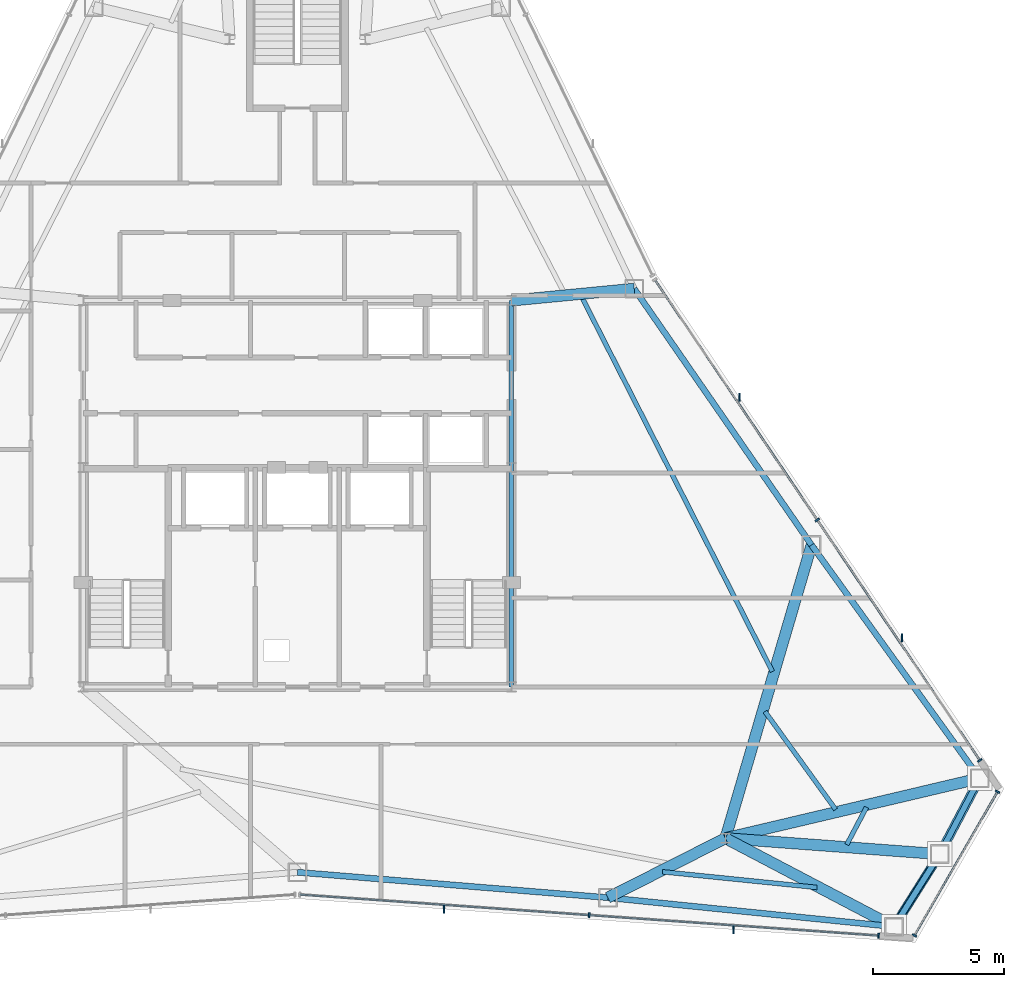
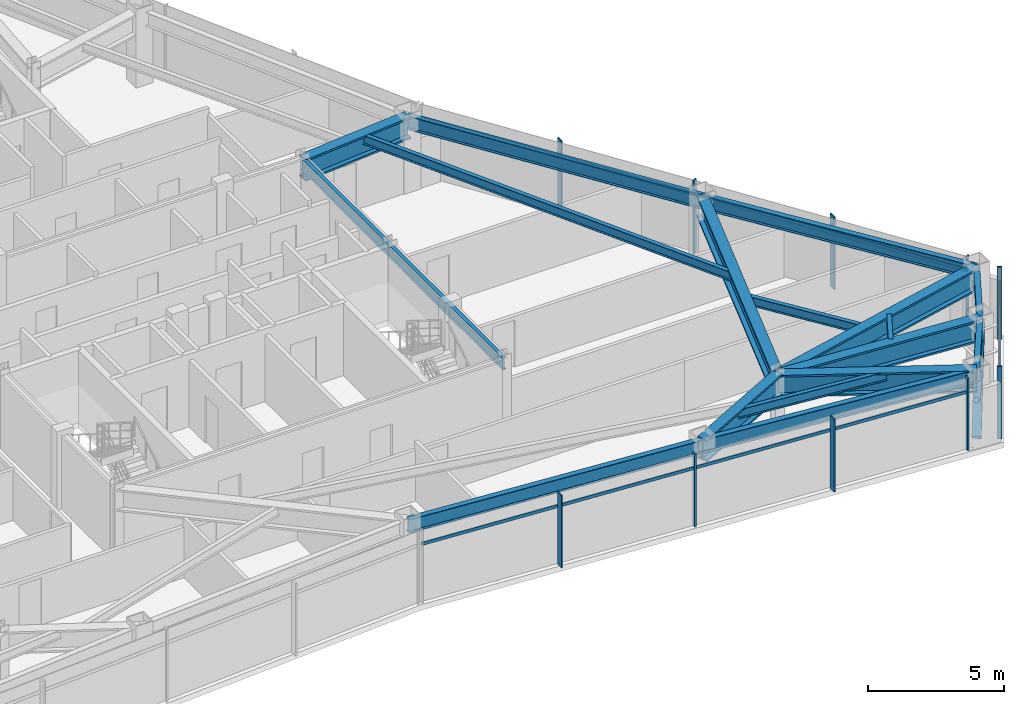
# One storey, part 6 of 12: 17 beams, 16 members, 3 elements without a shape of their own.
"""IFC4 building model written with IfcOpenShell, lengths in metres."""

from ifc_helpers import new_model, si_unit, direction, frame, origin, origin_2d, place, context, subcontext, project, spatial, rectangle, hollow_rectangle, hollow_circle, i_section, extrude, source, transform, mapped, material, layer, layer_set, material_profile, profile_set, type_object, type_shapes, element, aggregate, save


model = new_model("IFC4")

# Units and contexts
model_context = context("Model", 3, precision=1e-05, world=origin(), true_north=direction((0.0, 1.0)))
body_context = subcontext(model_context, "Body", "Model", "MODEL_VIEW")
ifc_project = project(units=[si_unit("LENGTHUNIT", "METRE"), si_unit("AREAUNIT", "SQUARE_METRE"), si_unit("VOLUMEUNIT", "CUBIC_METRE"), si_unit("PLANEANGLEUNIT", "RADIAN"), si_unit("MASSUNIT", "GRAM", prefix="KILO")], contexts=[model_context])

# Site, building, storey
site_placement = place(None, origin())
site = spatial("IfcSite", under=ifc_project, at=site_placement, CompositionType="ELEMENT")
building_placement = place(site_placement, origin())
building = spatial("IfcBuilding", under=site, at=building_placement, Name="Varakhsha Concourse Tower", CompositionType="ELEMENT")
storey_placement = place(building_placement, frame((0.0, 0.0, 211.89990234375)))
storey = spatial("IfcBuildingStorey", under=building, at=storey_placement, Name="L60", CompositionType="ELEMENT", Elevation=211.89990234375)

# Beams
ifc_material_1 = material(Name="Structural Steel ASTM A992 Grade 50", Category="steel")
ifc_material_profile_1 = material_profile(ifc_material_1, i_section(OverallWidth=0.177978515625, OverallDepth=0.406982421875, WebThickness=0.008056640625, FlangeThickness=0.012939453125, at=origin_2d()), Name="W16X40")
ifc_profile_set_1 = profile_set([ifc_material_profile_1], Name="Structural Steel ASTM A992 Grade 50")
beam_type_1 = type_object("IfcBeamType", Name="BM-JST-W16X40", PredefinedType="JOIST", material=ifc_profile_set_1)
beam_1_placement = place(storey_placement, frame((53.988525390625, 9.314208984375, 3.046630859375), z_axis=(0.994880799666, -0.101055402902, 0.0), x_axis=(0.101055402902, 0.994880799666, 0.0)))
element("IfcBeam", 1, at=beam_1_placement, inside=storey, type_object=beam_type_1, Name="BM-TJST-L60-12", PredefinedType="JOIST", context=body_context, shape_type="SweptSolid", body=[
    extrude(i_section(OverallWidth=0.177978515625, OverallDepth=0.406982421875, WebThickness=0.008056640625, FlangeThickness=0.012939453125, at=origin_2d()), origin(), (0.0, 0.0, 1.0), 5.950439453125),
])
beam_2_placement = place(storey_placement, frame((61.04931640625, 10.356201171875, 3.046630859375), z_axis=(0.466578529468, 0.884479776953, 0.0), x_axis=(-0.884479776953, 0.466578529468, 0.0)))
element("IfcBeam", 2, at=beam_2_placement, inside=storey, type_object=beam_type_1, Name="BM-TJST-L60-14", PredefinedType="JOIST", context=body_context, shape_type="SweptSolid", body=[
    extrude(i_section(OverallWidth=0.177978515625, OverallDepth=0.406982421875, WebThickness=0.008056640625, FlangeThickness=0.012939453125, at=origin_2d()), origin(), (0.0, 0.0, 1.0), 1.6201171875),
])
beam_3_placement = place(storey_placement, frame((60.622802734375, 11.699951171875, 3.046630859375), z_axis=(-0.584929922195, 0.811083834213, 0.0), x_axis=(-0.811083834213, -0.584929922195, 0.0)))
element("IfcBeam", 3, at=beam_3_placement, inside=storey, type_object=beam_type_1, Name="BM-TJST-L60-15", PredefinedType="JOIST", context=body_context, shape_type="SweptSolid", body=[
    extrude(i_section(OverallWidth=0.177978515625, OverallDepth=0.406982421875, WebThickness=0.008056640625, FlangeThickness=0.012939453125, at=origin_2d()), origin(), (0.0, 0.0, 1.0), 4.6279296875),
])
beam_4_placement = place(storey_placement, frame((58.197265625, 16.989013671875, 3.046630859375), z_axis=(-0.453599715257, 0.891205530907, 0.0), x_axis=(-0.891205530907, -0.453599715257, 0.0)))
element("IfcBeam", 4, at=beam_4_placement, inside=storey, type_object=beam_type_1, Name="BM-TJST-L60-16", PredefinedType="JOIST", context=body_context, shape_type="SweptSolid", body=[
    extrude(i_section(OverallWidth=0.177978515625, OverallDepth=0.406982421875, WebThickness=0.008056640625, FlangeThickness=0.012939453125, at=origin_2d()), origin(), (0.0, 0.0, 1.0), 16.119384765625),
])
ifc_material_profile_2 = material_profile(ifc_material_1, i_section(OverallWidth=0.1669921875, OverallDepth=0.534912109375, WebThickness=0.010009765625, FlangeThickness=0.01708984375, at=origin_2d()), Name="W21X57")
ifc_profile_set_2 = profile_set([ifc_material_profile_2], Name="Structural Steel ASTM A992 Grade 50")
beam_type_2 = type_object("IfcBeamType", Name="BM-RAD-W21X57", PredefinedType="BEAM", material=ifc_profile_set_2)
beam_5_placement = place(storey_placement, frame((48.199951171875, 16.39990234375, 2.982666015625), z_axis=(0.0, 1.0, 0.0), x_axis=(-1.0, 0.0, 0.0)))
element("IfcBeam", 5, at=beam_5_placement, inside=storey, type_object=beam_type_2, Name="BM-TCORE-L60-CE", PredefinedType="BEAM", context=body_context, shape_type="SweptSolid", body=[
    extrude(i_section(OverallWidth=0.1669921875, OverallDepth=0.534912109375, WebThickness=0.010009765625, FlangeThickness=0.01708984375, at=origin_2d()), origin(), (0.0, 0.0, 1.0), 14.800048828125),
])
ifc_material_profile_3 = material_profile(ifc_material_1, i_section(OverallWidth=0.22900390625, OverallDepth=0.612060546875, WebThickness=0.011962890625, FlangeThickness=0.02001953125, at=origin_2d()), Name="W24X84")
ifc_profile_set_3 = profile_set([ifc_material_profile_3], Name="Structural Steel ASTM A992 Grade 50")
beam_type_3 = type_object("IfcBeamType", Name="BM-SPAN-W24X84", PredefinedType="SPANDREL", material=ifc_profile_set_3)
beam_6_placement = place(storey_placement, frame((40.0, 9.297119140625, 2.944091796875), z_axis=(0.996668757849, -0.081556036735, 0.0), x_axis=(0.081556036735, 0.996668757849, 0.0)))
element("IfcBeam", 6, at=beam_6_placement, inside=storey, type_object=beam_type_3, Name="BM-SPAN-L60-11", PredefinedType="SPANDREL", context=body_context, shape_type="SweptSolid", body=[
    extrude(i_section(OverallWidth=0.22900390625, OverallDepth=0.612060546875, WebThickness=0.011962890625, FlangeThickness=0.02001953125, at=origin_2d()), origin(), (0.0, 0.0, 1.0), 11.938232421875),
])
beam_7_placement = place(storey_placement, frame((51.8984375, 8.323486328125, 2.944091796875), z_axis=(0.994882436683, -0.101039285329, 0.0), x_axis=(0.101039285329, 0.994882436683, 0.0)))
element("IfcBeam", 7, at=beam_7_placement, inside=storey, type_object=beam_type_3, Name="BM-SPAN-L60-12", PredefinedType="SPANDREL", context=body_context, shape_type="SweptSolid", body=[
    extrude(i_section(OverallWidth=0.22900390625, OverallDepth=0.612060546875, WebThickness=0.011962890625, FlangeThickness=0.02001953125, at=origin_2d()), origin(), (0.0, 0.0, 1.0), 11.018310546875),
])
beam_8_placement = place(storey_placement, frame((62.8603515625, 7.210205078125, 2.944091796875), z_axis=(0.532647729471, 0.846337046506, 0.0), x_axis=(-0.846337046506, 0.532647729471, 0.0)))
element("IfcBeam", 8, at=beam_8_placement, inside=storey, type_object=beam_type_3, Name="BM-SPAN-L60-13", PredefinedType="SPANDREL", context=body_context, shape_type="SweptSolid", body=[
    extrude(i_section(OverallWidth=0.22900390625, OverallDepth=0.612060546875, WebThickness=0.011962890625, FlangeThickness=0.02001953125, at=origin_2d()), origin(), (0.0, 0.0, 1.0), 3.285888671875),
])
beam_9_placement = place(storey_placement, frame((64.610595703125, 9.9912109375, 2.944091796875), z_axis=(0.466634310193, 0.884450349398, 0.0), x_axis=(-0.884450349398, 0.466634310193, 0.0)))
element("IfcBeam", 9, at=beam_9_placement, inside=storey, type_object=beam_type_3, Name="BM-SPAN-L60-14", PredefinedType="SPANDREL", context=body_context, shape_type="SweptSolid", body=[
    extrude(i_section(OverallWidth=0.22900390625, OverallDepth=0.612060546875, WebThickness=0.011962890625, FlangeThickness=0.02001953125, at=origin_2d()), origin(), (0.0, 0.0, 1.0), 3.28564453125),
])
beam_10_placement = place(storey_placement, frame((66.143798828125, 12.897216796875, 2.944091796875), z_axis=(-0.584962960084, 0.811060007231, 0.0), x_axis=(-0.811060007231, -0.584962960084, 0.0)))
element("IfcBeam", 10, at=beam_10_placement, inside=storey, type_object=beam_type_3, Name="BM-SPAN-L60-15", PredefinedType="SPANDREL", context=body_context, shape_type="SweptSolid", body=[
    extrude(i_section(OverallWidth=0.22900390625, OverallDepth=0.612060546875, WebThickness=0.011962890625, FlangeThickness=0.02001953125, at=origin_2d()), origin(), (0.0, 0.0, 1.0), 11.018310546875),
])
beam_11_placement = place(storey_placement, frame((59.698486328125, 21.833740234375, 2.944091796875), z_axis=(-0.568940907467, 0.822378406703, 0.0), x_axis=(-0.822378406703, -0.568940907467, 0.0)))
element("IfcBeam", 11, at=beam_11_placement, inside=storey, type_object=beam_type_3, Name="BM-SPAN-L60-16", PredefinedType="SPANDREL", context=body_context, shape_type="SweptSolid", body=[
    extrude(i_section(OverallWidth=0.22900390625, OverallDepth=0.612060546875, WebThickness=0.011962890625, FlangeThickness=0.02001953125, at=origin_2d()), origin(), (0.0, 0.0, 1.0), 11.9384765625),
])
ifc_material_profile_4 = material_profile(ifc_material_1, i_section(OverallWidth=0.427978515625, OverallDepth=0.97509765625, WebThickness=0.050048828125, FlangeThickness=0.0810546875, at=origin_2d()), Name="W36X395")
ifc_profile_set_4 = profile_set([ifc_material_profile_4], Name="Structural Steel ASTM A992 Grade 50")
beam_type_4 = type_object("IfcBeamType", Name="BM-XFER-W36X395", PredefinedType="USERDEFINED", material=ifc_profile_set_4)
beam_12_placement = place(storey_placement, frame((56.39990234375, 10.60009765625, 2.7626953125), z_axis=(-0.892365691824, -0.451313053274, 0.0), x_axis=(0.451313053274, -0.892365691824, 0.0)))
element("IfcBeam", 12, at=beam_12_placement, inside=storey, type_object=beam_type_4, Name="L60 Radial Floor Girder 12", ObjectType="GIRDER", PredefinedType="USERDEFINED", context=body_context, shape_type="SweptSolid", body=[
    extrude(i_section(OverallWidth=0.427978515625, OverallDepth=0.97509765625, WebThickness=0.050048828125, FlangeThickness=0.0810546875, at=origin_2d()), origin(), (0.0, 0.0, 1.0), 5.04443359375),
])
beam_13_placement = place(storey_placement, frame((56.39990234375, 10.60009765625, 2.7626953125), z_axis=(0.885501860742, -0.464635830111, 0.0), x_axis=(0.464635830111, 0.885501860742, 0.0)))
element("IfcBeam", 13, at=beam_13_placement, inside=storey, type_object=beam_type_4, Name="L60 Radial Floor Girder 13", ObjectType="GIRDER", PredefinedType="USERDEFINED", context=body_context, shape_type="SweptSolid", body=[
    extrude(i_section(OverallWidth=0.427978515625, OverallDepth=0.97509765625, WebThickness=0.050048828125, FlangeThickness=0.0810546875, at=origin_2d()), origin(), (0.0, 0.0, 1.0), 7.2958984375),
])
beam_14_placement = place(storey_placement, frame((56.39990234375, 10.60009765625, 2.7626953125), z_axis=(0.997261601939, -0.073954697607, 0.0), x_axis=(0.073954697607, 0.997261601939, 0.0)))
element("IfcBeam", 14, at=beam_14_placement, inside=storey, type_object=beam_type_4, Name="L60 Radial Floor Girder 14", ObjectType="GIRDER", PredefinedType="USERDEFINED", context=body_context, shape_type="SweptSolid", body=[
    extrude(i_section(OverallWidth=0.427978515625, OverallDepth=0.97509765625, WebThickness=0.050048828125, FlangeThickness=0.0810546875, at=origin_2d()), origin(), (0.0, 0.0, 1.0), 8.233154296875),
])
beam_15_placement = place(storey_placement, frame((56.39990234375, 10.60009765625, 2.7626953125), z_axis=(0.973318249516, 0.229459332257, 0.0), x_axis=(-0.229459332257, 0.973318249516, 0.0)))
element("IfcBeam", 15, at=beam_15_placement, inside=storey, type_object=beam_type_4, Name="L60 Radial Floor Girder 15", ObjectType="GIRDER", PredefinedType="USERDEFINED", context=body_context, shape_type="SweptSolid", body=[
    extrude(i_section(OverallWidth=0.427978515625, OverallDepth=0.97509765625, WebThickness=0.050048828125, FlangeThickness=0.0810546875, at=origin_2d()), origin(), (0.0, 0.0, 1.0), 10.010986328125),
])
beam_16_placement = place(storey_placement, frame((56.39990234375, 10.60009765625, 2.7626953125), z_axis=(0.281739548175, 0.959490920746, 0.0), x_axis=(-0.959490920746, 0.281739548175, 0.0)))
element("IfcBeam", 16, at=beam_16_placement, inside=storey, type_object=beam_type_4, Name="L60 Radial Floor Girder 16", ObjectType="GIRDER", PredefinedType="USERDEFINED", context=body_context, shape_type="SweptSolid", body=[
    extrude(i_section(OverallWidth=0.427978515625, OverallDepth=0.97509765625, WebThickness=0.050048828125, FlangeThickness=0.0810546875, at=origin_2d()), origin(), (0.0, 0.0, 1.0), 11.7080078125),
])
beam_17_placement = place(storey_placement, frame((48.199951171875, 31.199951171875, 2.7626953125), z_axis=(0.995426515274, 0.095530375746, 0.0), x_axis=(-0.095530375746, 0.995426515274, 0.0)))
element("IfcBeam", 17, at=beam_17_placement, inside=storey, type_object=beam_type_4, Name="L60 Radial Floor Girder 17", ObjectType="GIRDER", PredefinedType="USERDEFINED", context=body_context, shape_type="SweptSolid", body=[
    extrude(i_section(OverallWidth=0.427978515625, OverallDepth=0.97509765625, WebThickness=0.050048828125, FlangeThickness=0.0810546875, at=origin_2d()), origin(), (0.0, 0.0, 1.0), 4.72802734375),
])

# Members
ifc_material_2 = material(Name="Structural Steel ASTM A500 Grade C", Category="steel")
ifc_material_profile_5 = material_profile(ifc_material_2, hollow_rectangle(XDim=0.35009765625, YDim=0.35009765625, WallThickness=0.01611328125, at=origin_2d()), Name="HSS 350x350x16")
ifc_profile_set_5 = profile_set([ifc_material_profile_5], Name="Structural Steel ASTM A500 Grade C")
member_type_1 = type_object("IfcMemberType", Name="MB-TUBE-HSS350", PredefinedType="BRACE", material=ifc_profile_set_5)
shared_shape_1 = source(origin(), body_context, "Body", "SweptSolid", [
    extrude(hollow_rectangle(XDim=0.35009765625, YDim=0.35009765625, WallThickness=0.01611328125, at=origin_2d()), origin(), (0.0, 0.0, 1.0), 4.33642578125),
])
member_1_placement = place(storey_placement, frame((66.143798828125, 12.897216796875, 0.1201171875), z_axis=(-0.353560633732, -0.670132519637, 0.652623386342), x_axis=(0.884450349398, -0.466634310193, 0.0)))
element("IfcMember", 18, at=member_1_placement, inside=storey, type_object=member_type_1, Name="L60 Wind-Corner Tube Brace B06", PredefinedType="BRACE", context=body_context, shape_type="MappedRepresentation", body=[
    mapped(shared_shape_1, transform((0.0, 0.0, 0.0), scale=1.0)),
])
shared_shape_2 = source(origin(), body_context, "Body", "SweptSolid", [
    extrude(hollow_rectangle(XDim=0.35009765625, YDim=0.35009765625, WallThickness=0.01611328125, at=origin_2d()), origin(), (0.0, 0.0, 1.0), 4.336669921875),
])
type_shapes(member_type_1, [shared_shape_1, shared_shape_2])
member_2_placement = place(storey_placement, frame((62.8603515625, 7.210205078125, 0.1201171875), z_axis=(0.403591903834, 0.641277078612, 0.652592739468), x_axis=(-0.846337046506, 0.532647729471, 0.0)))
element("IfcMember", 19, at=member_2_placement, inside=storey, type_object=member_type_1, Name="L60 Wind-Corner Tube Brace B05", PredefinedType="BRACE", context=body_context, shape_type="MappedRepresentation", body=[
    mapped(shared_shape_2, transform((0.0, 0.0, 0.0), scale=1.0)),
])
ifc_material_profile_6 = material_profile(ifc_material_2, hollow_circle(Radius=0.136474609375, WallThickness=0.011962890625, at=origin_2d()), Name="CHS 273x12")
ifc_profile_set_6 = profile_set([ifc_material_profile_6], Name="Structural Steel ASTM A500 Grade C")
member_type_2 = type_object("IfcMemberType", Name="MB-WIND-CHS273", PredefinedType="COLLAR", material=ifc_profile_set_6)
shared_shape_3 = source(origin(), body_context, "Body", "SweptSolid", [
    extrude(hollow_circle(Radius=0.136474609375, WallThickness=0.011962890625, at=origin_2d()), origin(), (0.0, 0.0, 1.0), 3.285888671875),
])
type_shapes(member_type_2, [shared_shape_3])
member_3_placement = place(storey_placement, frame((62.8603515625, 7.210205078125, 1.800048828125), z_axis=(0.532647729471, 0.846337046506, 0.0), x_axis=(-0.846337046506, 0.532647729471, 0.0)))
element("IfcMember", 20, at=member_3_placement, inside=storey, type_object=member_type_2, Name="L60 Wind-Corner Collar Tie 3", PredefinedType="COLLAR", context=body_context, shape_type="MappedRepresentation", body=[
    mapped(shared_shape_3, transform((0.0, 0.0, 0.0), scale=1.0)),
])

# Curtain wall, members
ifc_material_3 = material(Name="Anodised Bronze Architectural Aluminium AA 6063-T6", Category="aluminium")
ifc_layer = layer(ifc_material_3, 0.199951171875, Name="CW-SYS-05")
ifc_layer_set = layer_set([ifc_layer], Name="Anodised Bronze Architectural Aluminium AA 6063-T6")
curtain_wall_type = type_object("IfcCurtainWallType", Name="CW-SYS-05", PredefinedType="NOTDEFINED", material=ifc_layer_set)
curtain_wall_1_placement = place(storey_placement, origin())
curtain_wall_1 = element("IfcCurtainWall", 21, at=curtain_wall_1_placement, inside=storey, type_object=curtain_wall_type, Name="L60 Crystal Curtain Wall F6", PredefinedType="NOTDEFINED")
ifc_material_profile_7 = material_profile(ifc_material_3, rectangle(XDim=0.06494140625, YDim=0.179931640625, at=origin_2d()), Name="CWM-180X65")
ifc_profile_set_7 = profile_set([ifc_material_profile_7], Name="Anodised Bronze Architectural Aluminium AA 6063-T6")
member_type_3 = type_object("IfcMemberType", Name="CWM-180X65", PredefinedType="MULLION", material=ifc_profile_set_7)
shared_shape_4 = source(origin(), body_context, "Body", "SweptSolid", [
    extrude(rectangle(XDim=0.06494140625, YDim=0.179931640625, at=origin_2d()), origin(), (0.0, 0.0, 1.0), 3.25),
])
type_shapes(member_type_3, [shared_shape_4])
member_4_placement = place(storey_placement, frame((62.267578125, 6.86669921875, 0.0), z_axis=(0.0, 0.0, 1.0), x_axis=(-0.997496012116, 0.070722739, 0.0)))
member_4 = element("IfcMember", 22, at=member_4_placement, type_object=member_type_3, Name="CW-L60-F6 Mullion 00", PredefinedType="MULLION", context=body_context, shape_type="MappedRepresentation", body=[
    mapped(shared_shape_4, transform((0.0, 0.0, 0.0), scale=1.0)),
])
member_5_placement = place(storey_placement, frame((51.17919921875, 7.65283203125, 0.0), z_axis=(0.0, 0.0, 1.0), x_axis=(-0.997496012116, 0.070722739, 0.0)))
member_5 = element("IfcMember", 23, at=member_5_placement, type_object=member_type_3, Name="CW-L60-F6 Mullion 01", PredefinedType="MULLION", context=body_context, shape_type="MappedRepresentation", body=[
    mapped(shared_shape_4, transform((0.0, 0.0, 0.0), scale=1.0)),
])

curtain_wall_2_placement = place(storey_placement, origin())
curtain_wall_2 = element("IfcCurtainWall", 24, at=curtain_wall_2_placement, inside=storey, type_object=curtain_wall_type, Name="L60 Chamfer Curtain Wall F7", PredefinedType="NOTDEFINED")
member_6_placement = place(storey_placement, frame((66.823974609375, 12.385009765625, 0.0), z_axis=(0.0, 0.0, 1.0), x_axis=(-0.49999395399, -0.866028894422, 0.0)))
member_6 = element("IfcMember", 25, at=member_6_placement, type_object=member_type_3, Name="CW-L60-F7 Mullion 00", PredefinedType="MULLION", context=body_context, shape_type="MappedRepresentation", body=[
    mapped(shared_shape_4, transform((0.0, 0.0, 0.0), scale=1.0)),
])
member_7_placement = place(storey_placement, frame((63.64404296875, 6.877197265625, 0.0), z_axis=(0.0, 0.0, 1.0), x_axis=(-0.49999395399, -0.866028894422, 0.0)))
member_7 = element("IfcMember", 26, at=member_7_placement, type_object=member_type_3, Name="CW-L60-F7 Mullion 01", PredefinedType="MULLION", context=body_context, shape_type="MappedRepresentation", body=[
    mapped(shared_shape_4, transform((0.0, 0.0, 0.0), scale=1.0)),
])

curtain_wall_3_placement = place(storey_placement, origin())
curtain_wall_3 = element("IfcCurtainWall", 27, at=curtain_wall_3_placement, inside=storey, type_object=curtain_wall_type, Name="L60 Crystal Curtain Wall F8", PredefinedType="NOTDEFINED")
member_8_placement = place(storey_placement, frame((59.919921875, 22.7919921875, 0.0), z_axis=(0.0, 0.0, 1.0), x_axis=(0.559998586649, -0.828493562408, 0.0)))
member_8 = element("IfcMember", 28, at=member_8_placement, type_object=member_type_3, Name="CW-L60-F8 Mullion 01", PredefinedType="MULLION", context=body_context, shape_type="MappedRepresentation", body=[
    mapped(shared_shape_4, transform((0.0, 0.0, 0.0), scale=1.0)),
])
member_9_placement = place(storey_placement, frame((66.144775390625, 13.58251953125, 0.0), z_axis=(0.0, 0.0, 1.0), x_axis=(0.559998586649, -0.828493562408, 0.0)))
member_9 = element("IfcMember", 29, at=member_9_placement, type_object=member_type_3, Name="CW-L60-F8 Mullion 02", PredefinedType="MULLION", context=body_context, shape_type="MappedRepresentation", body=[
    mapped(shared_shape_4, transform((0.0, 0.0, 0.0), scale=1.0)),
])

# Member
ifc_material_profile_8 = material_profile(ifc_material_3, rectangle(XDim=0.054931640625, YDim=0.300048828125, at=origin_2d()), Name="FIN-BRZ-300")
ifc_profile_set_8 = profile_set([ifc_material_profile_8], Name="Anodised Bronze Architectural Aluminium AA 6063-T6")
member_type_4 = type_object("IfcMemberType", Name="FIN-BRZ-300", PredefinedType="USERDEFINED", material=ifc_profile_set_8)
shared_shape_5 = source(origin(), body_context, "Body", "SweptSolid", [
    extrude(rectangle(XDim=0.054931640625, YDim=0.300048828125, at=origin_2d()), origin(), (0.0, 0.0, 1.0), 3.25),
])
type_shapes(member_type_4, [shared_shape_5])
member_10_placement = place(storey_placement, frame((56.711669921875, 7.09521484375, 0.0), z_axis=(0.0, 0.0, 1.0), x_axis=(1.0, 0.0, 0.0)))
member_10 = element("IfcMember", 30, at=member_10_placement, type_object=member_type_4, Name="L60 Anodised Bronze Solar Fin F6-1", ObjectType="SOLAR FIN", PredefinedType="USERDEFINED", context=body_context, shape_type="MappedRepresentation", body=[
    mapped(shared_shape_5, transform((0.0, 0.0, 0.0), scale=1.0)),
])

member_11_placement = place(storey_placement, frame((45.62353515625, 7.88134765625, 0.0), z_axis=(0.0, 0.0, 1.0), x_axis=(1.0, 0.0, 0.0)))
member_11 = element("IfcMember", 31, at=member_11_placement, type_object=member_type_4, Name="L60 Anodised Bronze Solar Fin F6-2", ObjectType="SOLAR FIN", PredefinedType="USERDEFINED", context=body_context, shape_type="MappedRepresentation", body=[
    mapped(shared_shape_5, transform((0.0, 0.0, 0.0), scale=1.0)),
])

member_12_placement = place(storey_placement, frame((56.944091796875, 27.4892578125, 0.0), z_axis=(0.0, 0.0, 1.0), x_axis=(1.0, 0.0, 0.0)))
member_12 = element("IfcMember", 32, at=member_12_placement, type_object=member_type_4, Name="L60 Anodised Bronze Solar Fin F8-1", ObjectType="SOLAR FIN", PredefinedType="USERDEFINED", context=body_context, shape_type="MappedRepresentation", body=[
    mapped(shared_shape_5, transform((0.0, 0.0, 0.0), scale=1.0)),
])

member_13_placement = place(storey_placement, frame((63.1689453125, 18.27978515625, 0.0), z_axis=(0.0, 0.0, 1.0), x_axis=(1.0, 0.0, 0.0)))
member_13 = element("IfcMember", 33, at=member_13_placement, type_object=member_type_4, Name="L60 Anodised Bronze Solar Fin F8-2", ObjectType="SOLAR FIN", PredefinedType="USERDEFINED", context=body_context, shape_type="MappedRepresentation", body=[
    mapped(shared_shape_5, transform((0.0, 0.0, 0.0), scale=1.0)),
])

ifc_material_profile_9 = material_profile(ifc_material_3, rectangle(XDim=0.06005859375, YDim=0.139892578125, at=origin_2d()), Name="CWT-140X60")
ifc_profile_set_9 = profile_set([ifc_material_profile_9], Name="Anodised Bronze Architectural Aluminium AA 6063-T6")
member_type_5 = type_object("IfcMemberType", Name="CWT-140X60", PredefinedType="USERDEFINED", material=ifc_profile_set_9)
shared_shape_6 = source(origin(), body_context, "Body", "SweptSolid", [
    extrude(rectangle(XDim=0.06005859375, YDim=0.139892578125, at=origin_2d()), origin(), (0.0, 0.0, 1.0), 22.232177734375),
])
member_14_placement = place(storey_placement, frame((62.267578125, 6.86669921875, 2.60009765625), z_axis=(-0.997496187384, 0.070720266932, 0.0), x_axis=(-0.070720266932, -0.997496187384, 0.0)))
member_14 = element("IfcMember", 34, at=member_14_placement, type_object=member_type_5, Name="CW-L60-F6 Transom 01", ObjectType="TRANSOM", PredefinedType="USERDEFINED", context=body_context, shape_type="MappedRepresentation", body=[
    mapped(shared_shape_6, transform((0.0, 0.0, 0.0), scale=1.0)),
])

aggregate(curtain_wall_1, [member_4, member_5, member_14, member_10, member_11])

member_15_placement = place(storey_placement, frame((53.69482421875, 32.001708984375, 2.60009765625), z_axis=(0.559998002966, -0.828493956933, 0.0), x_axis=(0.828493956933, 0.559998002966, 0.0)))
member_15 = element("IfcMember", 35, at=member_15_placement, type_object=member_type_5, Name="CW-L60-F8 Transom 01", ObjectType="TRANSOM", PredefinedType="USERDEFINED", context=body_context, shape_type="MappedRepresentation", body=[
    mapped(shared_shape_6, transform((0.0, 0.0, 0.0), scale=1.0)),
])

aggregate(curtain_wall_3, [member_8, member_9, member_15, member_12, member_13])

shared_shape_7 = source(origin(), body_context, "Body", "SweptSolid", [
    extrude(rectangle(XDim=0.06005859375, YDim=0.139892578125, at=origin_2d()), origin(), (0.0, 0.0, 1.0), 6.35986328125),
])
type_shapes(member_type_5, [shared_shape_6, shared_shape_7])
member_16_placement = place(storey_placement, frame((66.823974609375, 12.385009765625, 2.60009765625), z_axis=(-0.499999364504, -0.866025770688, 0.0), x_axis=(0.866025770688, -0.499999364504, 0.0)))
member_16 = element("IfcMember", 36, at=member_16_placement, type_object=member_type_5, Name="CW-L60-F7 Transom 01", ObjectType="TRANSOM", PredefinedType="USERDEFINED", context=body_context, shape_type="MappedRepresentation", body=[
    mapped(shared_shape_7, transform((0.0, 0.0, 0.0), scale=1.0)),
])

aggregate(curtain_wall_2, [member_6, member_7, member_16])

save(model, "model.ifc")
